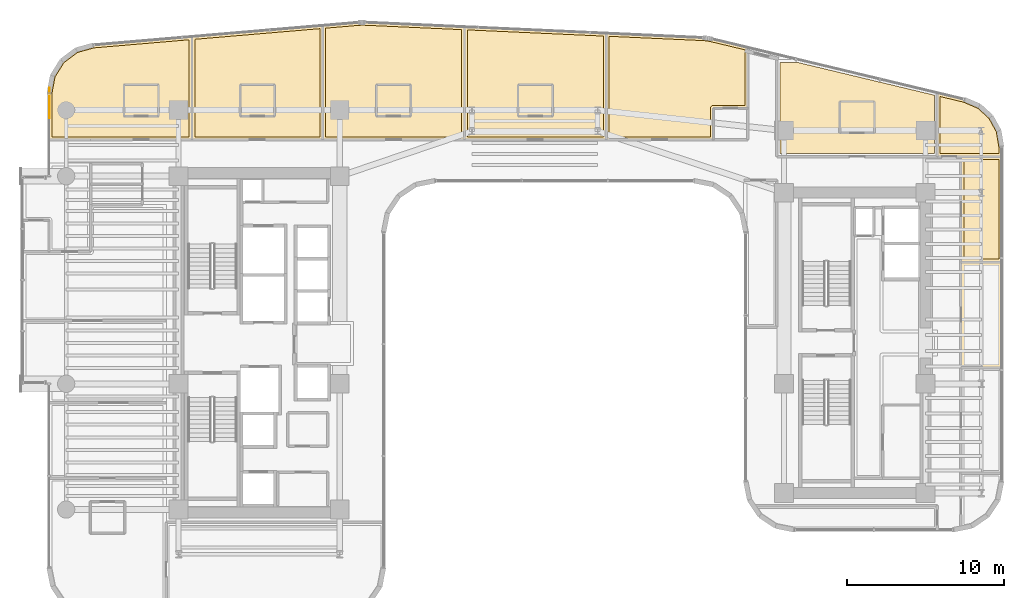
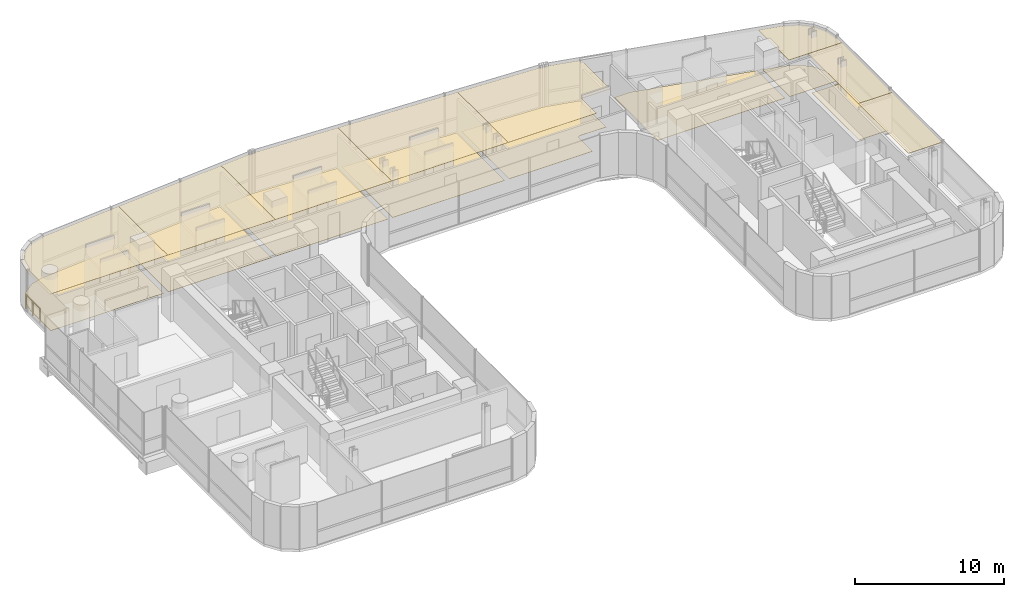
# One storey, part 34 of 35: 16 coverings, 1 railing.
"""IFC4 building model written with IfcOpenShell, lengths in metres."""

from ifc_helpers import new_model, si_unit, direction, frame, origin, origin_2d, place, context, subcontext, project, spatial, polyline, circle, outline, extrude, material, layer, layer_set, type_object, element, save


model = new_model("IFC4")

# Units and contexts
model_context = context("Model", 3, precision=1e-05, world=origin(), true_north=direction((0.0, 1.0)))
body_context = subcontext(model_context, "Body", "Model", "MODEL_VIEW")
ifc_project = project(units=[si_unit("LENGTHUNIT", "METRE"), si_unit("AREAUNIT", "SQUARE_METRE"), si_unit("VOLUMEUNIT", "CUBIC_METRE"), si_unit("PLANEANGLEUNIT", "RADIAN"), si_unit("MASSUNIT", "GRAM", prefix="KILO")], contexts=[model_context])

# Site, building, storey
site_placement = place(None, origin())
site = spatial("IfcSite", under=ifc_project, at=site_placement, CompositionType="ELEMENT")
building_placement = place(site_placement, origin())
building = spatial("IfcBuilding", under=site, at=building_placement, Name="Valdorenza Pilgrim Sanctuary Tower", CompositionType="ELEMENT")
storey_placement = place(building_placement, frame((0.0, 0.0, 113.10009765625)))
storey = spatial("IfcBuildingStorey", under=building, at=storey_placement, Name="L28", CompositionType="ELEMENT", Elevation=113.10009765625)

# Coverings
ifc_material_1 = material(Name="Micro-perforated acoustic mineral ceiling tile", Category="gypsum")
ifc_layer_1 = layer(ifc_material_1, 0.02490234375, Name="Micro-perforated acoustic mineral ceiling tile")
ifc_layer_set_1 = layer_set([ifc_layer_1], Name="Micro-perforated acoustic mineral ceiling tile")
covering_type_1 = type_object("IfcCoveringType", Name="COV-CLG-ACU", PredefinedType="CEILING", material=ifc_layer_set_1)
covering_1_placement = place(storey_placement, frame((0.0, 0.0, 3.159912109375)))
element("IfcCovering", 1, at=covering_1_placement, inside=storey, type_object=covering_type_1, Name="L28 North Guest Room L28-N1 Acoustic Ceiling", PredefinedType="CEILING", context=body_context, shape_type="SweptSolid", body=[
    extrude(outline(polyline([(-30.692138671875, 16.984130859375), (-30.69189453125, 16.985595703125), (-30.69140625, 16.98681640625), (-30.69091796875, 16.98828125), (-30.690185546875, 16.989501953125), (-30.0869140625, 17.95751953125), (-30.086181640625, 17.958740234375), (-30.085205078125, 17.959716796875), (-30.084228515625, 17.960693359375), (-30.083251953125, 17.961669921875), (-29.169677734375, 18.64453125), (-29.16845703125, 18.6455078125), (-29.167236328125, 18.64599609375), (-29.166015625, 18.646484375), (-29.164794921875, 18.647216796875), (-28.055419921875, 18.95458984375), (-28.05419921875, 18.955078125), (-28.052734375, 18.955078125), (-21.801513671875, 19.486572265625), (-21.80029296875, 19.486572265625), (-21.800048828125, 19.486572265625), (-21.798583984375, 19.486572265625), (-21.797119140625, 19.486328125), (-21.795654296875, 19.486083984375), (-21.794189453125, 19.485595703125), (-21.79296875, 19.48486328125), (-21.791748046875, 19.484130859375), (-21.79052734375, 19.483154296875), (-21.789306640625, 19.482177734375), (-21.788330078125, 19.481201171875), (-21.78759765625, 19.47998046875), (-21.786865234375, 19.478759765625), (-21.7861328125, 19.477294921875), (-21.78564453125, 19.47607421875), (-21.785400390625, 19.474609375), (-21.78515625, 19.47314453125), (-21.784912109375, 19.4716796875), (-21.784912109375, 12.919921875), (-21.78515625, 12.91845703125), (-21.785400390625, 12.9169921875), (-21.78564453125, 12.91552734375), (-21.7861328125, 12.914306640625), (-21.786865234375, 12.912841796875), (-21.78759765625, 12.91162109375), (-21.788330078125, 12.910400390625), (-21.789306640625, 12.909423828125), (-21.79052734375, 12.908447265625), (-21.791748046875, 12.907470703125), (-21.79296875, 12.90673828125), (-21.794189453125, 12.906005859375), (-21.795654296875, 12.905517578125), (-21.797119140625, 12.9052734375), (-21.798583984375, 12.905029296875), (-21.800048828125, 12.905029296875), (-30.889892578125, 12.905029296875), (-30.8916015625, 12.905029296875), (-30.892822265625, 12.9052734375), (-30.894287109375, 12.905517578125), (-30.895751953125, 12.906005859375), (-30.897216796875, 12.90673828125), (-30.898193359375, 12.907470703125), (-30.8994140625, 12.908447265625), (-30.900634765625, 12.909423828125), (-30.901611328125, 12.910400390625), (-30.902587890625, 12.91162109375), (-30.9033203125, 12.912841796875), (-30.90380859375, 12.914306640625), (-30.904296875, 12.91552734375), (-30.90478515625, 12.9169921875), (-30.90478515625, 12.91845703125), (-30.905029296875, 12.919921875), (-30.905029296875, 15.850341796875), (-30.90478515625, 15.8515625), (-30.90478515625, 15.85302734375), (-30.692138671875, 16.984130859375)])), origin(), (0.0, 0.0, 1.0), 0.02490234375),
])
covering_2_placement = place(storey_placement, frame((0.0, 0.0, 3.159912109375)))
element("IfcCovering", 2, at=covering_2_placement, inside=storey, type_object=covering_type_1, Name="L28 North Guest Room L28-N2 Acoustic Ceiling", PredefinedType="CEILING", context=body_context, shape_type="SweptSolid", body=[
    extrude(outline(polyline([(-21.81298828125, 19.4716796875), (-21.81298828125, 19.472412109375), (-21.81298828125, 19.473876953125), (-21.8125, 19.475341796875), (-21.812255859375, 19.476806640625), (-21.8115234375, 19.47802734375), (-21.81103515625, 19.479248046875), (-21.810302734375, 19.48046875), (-21.809326171875, 19.481689453125), (-21.808349609375, 19.482666015625), (-21.80712890625, 19.483642578125), (-21.805908203125, 19.484619140625), (-21.8046875, 19.485107421875), (-21.803466796875, 19.48583984375), (-21.802001953125, 19.486083984375), (-21.80078125, 19.486572265625), (-21.79931640625, 19.48681640625), (-13.481201171875, 20.193603515625), (-13.479736328125, 20.19384765625), (-13.478515625, 20.193603515625), (-13.476806640625, 20.193603515625), (-13.4755859375, 20.193115234375), (-13.47412109375, 20.192626953125), (-13.472900390625, 20.19189453125), (-13.4716796875, 20.191162109375), (-13.470458984375, 20.190185546875), (-13.46923828125, 20.189208984375), (-13.468505859375, 20.188232421875), (-13.467529296875, 20.18701171875), (-13.466796875, 20.185791015625), (-13.466064453125, 20.1845703125), (-13.465576171875, 20.18310546875), (-13.46533203125, 20.181640625), (-13.465087890625, 20.18017578125), (-13.465087890625, 20.1787109375), (-13.465087890625, 12.919921875), (-13.465087890625, 12.91845703125), (-13.46533203125, 12.9169921875), (-13.465576171875, 12.91552734375), (-13.466064453125, 12.914306640625), (-13.466796875, 12.912841796875), (-13.467529296875, 12.91162109375), (-13.468505859375, 12.910400390625), (-13.469482421875, 12.909423828125), (-13.470458984375, 12.908447265625), (-13.4716796875, 12.907470703125), (-13.472900390625, 12.90673828125), (-13.474365234375, 12.906005859375), (-13.4755859375, 12.905517578125), (-13.47705078125, 12.9052734375), (-13.478515625, 12.905029296875), (-13.47998046875, 12.905029296875), (-21.798095703125, 12.905029296875), (-21.799560546875, 12.905029296875), (-21.80078125, 12.9052734375), (-21.802490234375, 12.905517578125), (-21.8037109375, 12.906005859375), (-21.80517578125, 12.90673828125), (-21.806396484375, 12.907470703125), (-21.8076171875, 12.908447265625), (-21.80859375, 12.909423828125), (-21.8095703125, 12.910400390625), (-21.810546875, 12.91162109375), (-21.811279296875, 12.912841796875), (-21.81201171875, 12.914306640625), (-21.8125, 12.91552734375), (-21.812744140625, 12.9169921875), (-21.81298828125, 12.91845703125), (-21.81298828125, 12.919921875), (-21.81298828125, 19.4716796875), (-21.81298828125, 19.4716796875)])), origin(), (0.0, 0.0, 1.0), 0.02490234375),
])
covering_3_placement = place(storey_placement, frame((0.0, 0.0, 3.159912109375)))
element("IfcCovering", 3, at=covering_3_placement, inside=storey, type_object=covering_type_1, Name="L28 North Guest Room L28-N3 Acoustic Ceiling", PredefinedType="CEILING", context=body_context, shape_type="SweptSolid", body=[
    extrude(outline(polyline([(-13.492919921875, 20.1787109375), (-13.492919921875, 20.1796875), (-13.492919921875, 20.18115234375), (-13.49267578125, 20.1826171875), (-13.4921875, 20.183837890625), (-13.49169921875, 20.185302734375), (-13.490966796875, 20.1865234375), (-13.490234375, 20.187744140625), (-13.4892578125, 20.188720703125), (-13.48828125, 20.18994140625), (-13.4873046875, 20.19091796875), (-13.486083984375, 20.191650390625), (-13.48486328125, 20.1923828125), (-13.4833984375, 20.19287109375), (-13.482177734375, 20.193359375), (-13.480712890625, 20.193603515625), (-13.479248046875, 20.19384765625), (-11.20068359375, 20.3876953125), (-11.200439453125, 20.3876953125), (-11.099365234375, 20.39453125), (-11.098876953125, 20.39453125), (-10.998291015625, 20.398193359375), (-10.997802734375, 20.398193359375), (-10.897216796875, 20.398681640625), (-10.896728515625, 20.398681640625), (-10.79541015625, 20.3955078125), (-10.795166015625, 20.3955078125), (-4.46923828125, 20.10791015625), (-4.468017578125, 20.10791015625), (-4.466552734375, 20.107666015625), (-4.465087890625, 20.107177734375), (-4.4638671875, 20.106689453125), (-4.46240234375, 20.10595703125), (-4.461181640625, 20.105224609375), (-4.460205078125, 20.1044921875), (-4.459228515625, 20.103515625), (-4.458251953125, 20.102294921875), (-4.45751953125, 20.101318359375), (-4.456787109375, 20.099853515625), (-4.4560546875, 20.0986328125), (-4.45556640625, 20.097412109375), (-4.455322265625, 20.095947265625), (-4.455078125, 20.094482421875), (-4.455078125, 20.093017578125), (-4.455078125, 12.919921875), (-4.455078125, 12.91845703125), (-4.455322265625, 12.9169921875), (-4.45556640625, 12.91552734375), (-4.4560546875, 12.914306640625), (-4.456787109375, 12.912841796875), (-4.45751953125, 12.91162109375), (-4.45849609375, 12.910400390625), (-4.45947265625, 12.909423828125), (-4.46044921875, 12.908447265625), (-4.461669921875, 12.907470703125), (-4.462890625, 12.90673828125), (-4.46435546875, 12.906005859375), (-4.465576171875, 12.905517578125), (-4.467041015625, 12.9052734375), (-4.468505859375, 12.905029296875), (-4.469970703125, 12.905029296875), (-13.47802734375, 12.905029296875), (-13.4794921875, 12.905029296875), (-13.48095703125, 12.9052734375), (-13.482421875, 12.905517578125), (-13.483642578125, 12.906005859375), (-13.485107421875, 12.90673828125), (-13.486328125, 12.907470703125), (-13.487548828125, 12.908447265625), (-13.488525390625, 12.909423828125), (-13.489501953125, 12.910400390625), (-13.490478515625, 12.91162109375), (-13.4912109375, 12.912841796875), (-13.491943359375, 12.914306640625), (-13.492431640625, 12.91552734375), (-13.49267578125, 12.9169921875), (-13.492919921875, 12.91845703125), (-13.492919921875, 12.919921875), (-13.492919921875, 20.1787109375), (-13.492919921875, 20.1787109375)])), origin(), (0.0, 0.0, 1.0), 0.02490234375),
])
covering_4_placement = place(storey_placement, frame((0.0, 0.0, 3.159912109375)))
element("IfcCovering", 4, at=covering_4_placement, inside=storey, type_object=covering_type_1, Name="L28 North Guest Room L28-N4 Acoustic Ceiling", PredefinedType="CEILING", context=body_context, shape_type="SweptSolid", body=[
    extrude(outline(polyline([(4.540771484375, 19.698486328125), (4.5419921875, 19.698486328125), (4.54345703125, 19.697998046875), (4.544921875, 19.69775390625), (4.546142578125, 19.697265625), (4.547607421875, 19.696533203125), (4.548583984375, 19.69580078125), (4.5498046875, 19.69482421875), (4.55078125, 19.69384765625), (4.5517578125, 19.69287109375), (4.552490234375, 19.691650390625), (4.55322265625, 19.6904296875), (4.553955078125, 19.689208984375), (4.554443359375, 19.687744140625), (4.5546875, 19.686279296875), (4.554931640625, 19.684814453125), (4.554931640625, 19.68359375), (4.554931640625, 12.919921875), (4.554931640625, 12.91845703125), (4.5546875, 12.9169921875), (4.554443359375, 12.91552734375), (4.553955078125, 12.914306640625), (4.55322265625, 12.912841796875), (4.552490234375, 12.91162109375), (4.551513671875, 12.910400390625), (4.550537109375, 12.909423828125), (4.549560546875, 12.908447265625), (4.54833984375, 12.907470703125), (4.547119140625, 12.90673828125), (4.545654296875, 12.906005859375), (4.54443359375, 12.905517578125), (4.54296875, 12.9052734375), (4.54150390625, 12.905029296875), (4.5400390625, 12.905029296875), (-4.468017578125, 12.905029296875), (-4.469482421875, 12.905029296875), (-4.470947265625, 12.9052734375), (-4.472412109375, 12.905517578125), (-4.4736328125, 12.906005859375), (-4.47509765625, 12.90673828125), (-4.476318359375, 12.907470703125), (-4.4775390625, 12.908447265625), (-4.478515625, 12.909423828125), (-4.4794921875, 12.910400390625), (-4.48046875, 12.91162109375), (-4.481201171875, 12.912841796875), (-4.48193359375, 12.914306640625), (-4.482421875, 12.91552734375), (-4.482666015625, 12.9169921875), (-4.48291015625, 12.91845703125), (-4.48291015625, 12.919921875), (-4.48291015625, 20.093017578125), (-4.48291015625, 20.094482421875), (-4.482666015625, 20.095947265625), (-4.482421875, 20.097412109375), (-4.481689453125, 20.098876953125), (-4.481201171875, 20.10009765625), (-4.480224609375, 20.1015625), (-4.4794921875, 20.102783203125), (-4.478515625, 20.103759765625), (-4.477294921875, 20.104736328125), (-4.47607421875, 20.105712890625), (-4.474609375, 20.1064453125), (-4.473388671875, 20.10693359375), (-4.4716796875, 20.107421875), (-4.47021484375, 20.10791015625), (-4.46875, 20.10791015625), (-4.46728515625, 20.10791015625), (4.540771484375, 19.698486328125)])), origin(), (0.0, 0.0, 1.0), 0.02490234375),
])
covering_5_placement = place(storey_placement, frame((0.0, 0.0, 3.159912109375)))
element("IfcCovering", 5, at=covering_5_placement, inside=storey, type_object=covering_type_1, Name="L28 North Guest Room L28-N5 Acoustic Ceiling", PredefinedType="CEILING", context=body_context, shape_type="SweptSolid", body=[
    extrude(outline(polyline([(10.690673828125, 19.4189453125), (10.69091796875, 19.4189453125), (10.838134765625, 19.40869140625), (10.8388671875, 19.40869140625), (10.984375, 19.3916015625), (10.985107421875, 19.3916015625), (11.12939453125, 19.36767578125), (11.130126953125, 19.36767578125), (11.274658203125, 19.336669921875), (11.27490234375, 19.33642578125), (13.553466796875, 18.791015625), (13.554931640625, 18.790771484375), (13.55615234375, 18.790283203125), (13.5576171875, 18.78955078125), (13.55859375, 18.788818359375), (13.559814453125, 18.787841796875), (13.560791015625, 18.786865234375), (13.561767578125, 18.785888671875), (13.5625, 18.78466796875), (13.563232421875, 18.783447265625), (13.56396484375, 18.781982421875), (13.564453125, 18.78076171875), (13.564697265625, 18.779296875), (13.56494140625, 18.778076171875), (13.56494140625, 18.776611328125), (13.56494140625, 14.922119140625), (13.56494140625, 14.92041015625), (13.564697265625, 14.919189453125), (13.564453125, 14.91748046875), (13.56396484375, 14.916259765625), (13.563232421875, 14.914794921875), (13.5625, 14.913818359375), (13.5615234375, 14.91259765625), (13.560546875, 14.911376953125), (13.5595703125, 14.910400390625), (13.558349609375, 14.909423828125), (13.55712890625, 14.90869140625), (13.5556640625, 14.908203125), (13.554443359375, 14.90771484375), (13.552978515625, 14.9072265625), (13.551513671875, 14.906982421875), (13.550048828125, 14.906982421875), (11.363037109375, 14.906982421875), (11.363037109375, 12.919921875), (11.36279296875, 12.91845703125), (11.36279296875, 12.9169921875), (11.3623046875, 12.91552734375), (11.36181640625, 12.914306640625), (11.361083984375, 12.912841796875), (11.360595703125, 12.91162109375), (11.359619140625, 12.910400390625), (11.358642578125, 12.909423828125), (11.357421875, 12.908447265625), (11.356201171875, 12.907470703125), (11.35498046875, 12.90673828125), (11.353759765625, 12.906005859375), (11.352294921875, 12.905517578125), (11.350830078125, 12.9052734375), (11.349609375, 12.905029296875), (11.347900390625, 12.905029296875), (4.5419921875, 12.905029296875), (4.54052734375, 12.905029296875), (4.5390625, 12.9052734375), (4.53759765625, 12.905517578125), (4.536376953125, 12.906005859375), (4.534912109375, 12.90673828125), (4.53369140625, 12.907470703125), (4.532470703125, 12.908447265625), (4.531494140625, 12.909423828125), (4.530517578125, 12.910400390625), (4.529541015625, 12.91162109375), (4.52880859375, 12.912841796875), (4.528076171875, 12.914306640625), (4.527587890625, 12.91552734375), (4.52734375, 12.9169921875), (4.527099609375, 12.91845703125), (4.527099609375, 12.919921875), (4.527099609375, 19.683349609375), (4.527099609375, 19.684814453125), (4.52734375, 19.686279296875), (4.527587890625, 19.68798828125), (4.5283203125, 19.689208984375), (4.52880859375, 19.690673828125), (4.52978515625, 19.69189453125), (4.530517578125, 19.693115234375), (4.531494140625, 19.6943359375), (4.53271484375, 19.6953125), (4.533935546875, 19.696044921875), (4.535400390625, 19.697021484375), (4.53662109375, 19.697509765625), (4.5380859375, 19.697998046875), (4.539794921875, 19.6982421875), (4.541259765625, 19.698486328125), (4.542724609375, 19.698486328125), (10.690673828125, 19.4189453125)])), origin(), (0.0, 0.0, 1.0), 0.02490234375),
])
covering_6_placement = place(storey_placement, frame((0.0, 0.0, 3.159912109375)))
element("IfcCovering", 6, at=covering_6_placement, inside=storey, type_object=covering_type_1, Name="L28 East Wing Reference Library L28-BNE Acoustic Ceiling", PredefinedType="CEILING", context=body_context, shape_type="SweptSolid", body=[
    extrude(outline(polyline([(27.313720703125, 15.49755859375), (27.31494140625, 15.4970703125), (27.316162109375, 15.49658203125), (28.269775390625, 15.09130859375), (28.271240234375, 15.090576171875), (28.272705078125, 15.089599609375), (28.27392578125, 15.088623046875), (29.034912109375, 14.3994140625), (29.035888671875, 14.398193359375), (29.037109375, 14.39697265625), (29.037841796875, 14.3955078125), (29.531005859375, 13.4951171875), (29.53173828125, 13.49365234375), (29.5322265625, 13.4921875), (29.53271484375, 13.490478515625), (29.704833984375, 12.468994140625), (29.704833984375, 12.467529296875), (29.705078125, 12.46630859375), (29.705078125, 11.85009765625), (29.704833984375, 11.848388671875), (29.70458984375, 11.84716796875), (29.704345703125, 11.845703125), (29.703857421875, 11.84423828125), (29.703125, 11.843017578125), (29.702392578125, 11.841796875), (29.70166015625, 11.840576171875), (29.70068359375, 11.83935546875), (29.699462890625, 11.83837890625), (29.6982421875, 11.83740234375), (29.697021484375, 11.8369140625), (29.69580078125, 11.836181640625), (29.6943359375, 11.835693359375), (29.69287109375, 11.835205078125), (29.69140625, 11.835205078125), (29.68994140625, 11.8349609375), (25.60205078125, 11.8349609375), (25.6005859375, 11.835205078125), (25.59912109375, 11.835205078125), (25.59765625, 11.835693359375), (25.59619140625, 11.836181640625), (25.594970703125, 11.8369140625), (25.59375, 11.83740234375), (25.592529296875, 11.83837890625), (25.59130859375, 11.83935546875), (25.59033203125, 11.840576171875), (25.589599609375, 11.841796875), (25.5888671875, 11.843017578125), (25.588134765625, 11.84423828125), (25.587646484375, 11.845703125), (25.58740234375, 11.84716796875), (25.587158203125, 11.848388671875), (25.5869140625, 11.85009765625), (25.5869140625, 15.891845703125), (25.587158203125, 15.893310546875), (25.58740234375, 15.894775390625), (25.587646484375, 15.896240234375), (25.588134765625, 15.897705078125), (25.5888671875, 15.89892578125), (25.589599609375, 15.900390625), (25.590576171875, 15.901611328125), (25.591552734375, 15.902587890625), (25.5927734375, 15.903564453125), (25.593994140625, 15.904296875), (25.59521484375, 15.9052734375), (25.5966796875, 15.90576171875), (25.597900390625, 15.90625), (25.599609375, 15.906494140625), (25.60107421875, 15.90673828125), (25.6025390625, 15.90673828125), (25.60400390625, 15.906494140625), (25.60546875, 15.906494140625), (27.313720703125, 15.49755859375)])), origin(), (0.0, 0.0, 1.0), 0.02490234375),
])
covering_7_placement = place(storey_placement, frame((0.0, 0.0, 3.159912109375)))
element("IfcCovering", 7, at=covering_7_placement, inside=storey, type_object=covering_type_1, Name="L28 East Sanctuary Scholar Office L28-EG3 Acoustic Ceiling", PredefinedType="CEILING", context=body_context, shape_type="SweptSolid", body=[
    extrude(outline(polyline([(27.0849609375, 5.137939453125), (27.085205078125, 5.139404296875), (27.085205078125, 5.140869140625), (27.085693359375, 5.142333984375), (27.086181640625, 5.143798828125), (27.0869140625, 5.14501953125), (27.08740234375, 5.146240234375), (27.08837890625, 5.1474609375), (27.08935546875, 5.148681640625), (27.090576171875, 5.149658203125), (27.091796875, 5.150390625), (27.093017578125, 5.151123046875), (27.09423828125, 5.15185546875), (27.095703125, 5.15234375), (27.09716796875, 5.152587890625), (27.098388671875, 5.15283203125), (27.10009765625, 5.153076171875), (29.68994140625, 5.153076171875), (29.69140625, 5.15283203125), (29.69287109375, 5.152587890625), (29.6943359375, 5.15234375), (29.69580078125, 5.15185546875), (29.697021484375, 5.151123046875), (29.6982421875, 5.150390625), (29.699462890625, 5.149658203125), (29.70068359375, 5.148681640625), (29.70166015625, 5.1474609375), (29.702392578125, 5.146240234375), (29.703125, 5.14501953125), (29.703857421875, 5.143798828125), (29.704345703125, 5.142333984375), (29.70458984375, 5.140869140625), (29.704833984375, 5.139404296875), (29.705078125, 5.137939453125), (29.705078125, -1.572998046875), (29.704833984375, -1.574462890625), (29.70458984375, -1.575927734375), (29.704345703125, -1.577392578125), (29.703857421875, -1.57861328125), (29.703125, -1.580078125), (29.702392578125, -1.581298828125), (29.70166015625, -1.58251953125), (29.70068359375, -1.58349609375), (29.699462890625, -1.584716796875), (29.6982421875, -1.58544921875), (29.697021484375, -1.586181640625), (29.69580078125, -1.5869140625), (29.6943359375, -1.58740234375), (29.69287109375, -1.587646484375), (29.69140625, -1.587890625), (29.68994140625, -1.587890625), (27.10009765625, -1.587890625), (27.098388671875, -1.587890625), (27.09716796875, -1.587646484375), (27.095703125, -1.58740234375), (27.09423828125, -1.5869140625), (27.093017578125, -1.586181640625), (27.091796875, -1.58544921875), (27.090576171875, -1.584716796875), (27.08935546875, -1.58349609375), (27.08837890625, -1.58251953125), (27.08740234375, -1.581298828125), (27.0869140625, -1.580078125), (27.086181640625, -1.57861328125), (27.085693359375, -1.577392578125), (27.085205078125, -1.575927734375), (27.085205078125, -1.574462890625), (27.0849609375, -1.572998046875), (27.0849609375, 5.137939453125)])), origin(), (0.0, 0.0, 1.0), 0.02490234375),
])
covering_8_placement = place(storey_placement, frame((0.0, 0.0, 3.159912109375)))
element("IfcCovering", 8, at=covering_8_placement, inside=storey, type_object=covering_type_1, Name="L28 East Sanctuary Scholar Office L28-EG4 Acoustic Ceiling", PredefinedType="CEILING", context=body_context, shape_type="SweptSolid", body=[
    extrude(outline(polyline([(27.0849609375, 11.847900390625), (27.085205078125, 11.849609375), (27.085205078125, 11.850830078125), (27.085693359375, 11.852294921875), (27.086181640625, 11.853759765625), (27.0869140625, 11.85498046875), (27.08740234375, 11.856201171875), (27.08837890625, 11.857421875), (27.08935546875, 11.858642578125), (27.090576171875, 11.859619140625), (27.091796875, 11.860595703125), (27.093017578125, 11.861083984375), (27.09423828125, 11.86181640625), (27.095703125, 11.8623046875), (27.09716796875, 11.86279296875), (27.098388671875, 11.86279296875), (27.10009765625, 11.863037109375), (29.68994140625, 11.863037109375), (29.69140625, 11.86279296875), (29.69287109375, 11.86279296875), (29.6943359375, 11.8623046875), (29.69580078125, 11.86181640625), (29.697021484375, 11.861083984375), (29.6982421875, 11.860595703125), (29.699462890625, 11.859619140625), (29.70068359375, 11.858642578125), (29.70166015625, 11.857421875), (29.702392578125, 11.856201171875), (29.703125, 11.85498046875), (29.703857421875, 11.853759765625), (29.704345703125, 11.852294921875), (29.70458984375, 11.850830078125), (29.704833984375, 11.849609375), (29.705078125, 11.847900390625), (29.705078125, 5.139892578125), (29.704833984375, 5.138427734375), (29.70458984375, 5.13720703125), (29.704345703125, 5.135498046875), (29.703857421875, 5.13427734375), (29.703125, 5.1328125), (29.702392578125, 5.131591796875), (29.70166015625, 5.130615234375), (29.70068359375, 5.12939453125), (29.699462890625, 5.12841796875), (29.6982421875, 5.12744140625), (29.697021484375, 5.126708984375), (29.69580078125, 5.126220703125), (29.6943359375, 5.12548828125), (29.69287109375, 5.125244140625), (29.69140625, 5.125), (29.68994140625, 5.125), (27.10009765625, 5.125), (27.098388671875, 5.125), (27.09716796875, 5.125244140625), (27.095703125, 5.12548828125), (27.09423828125, 5.126220703125), (27.093017578125, 5.126708984375), (27.091796875, 5.12744140625), (27.090576171875, 5.12841796875), (27.08935546875, 5.12939453125), (27.08837890625, 5.130615234375), (27.08740234375, 5.131591796875), (27.0869140625, 5.1328125), (27.086181640625, 5.13427734375), (27.085693359375, 5.135498046875), (27.085205078125, 5.13720703125), (27.085205078125, 5.138427734375), (27.0849609375, 5.139892578125), (27.0849609375, 11.847900390625)])), origin(), (0.0, 0.0, 1.0), 0.02490234375),
])
ifc_material_2 = material(Name="Engineered European oak timber flooring", Category="wood")
ifc_layer_2 = layer(ifc_material_2, 0.02197265625, Name="Engineered European oak timber flooring")
ifc_layer_set_2 = layer_set([ifc_layer_2], Name="Engineered European oak timber flooring")
covering_type_2 = type_object("IfcCoveringType", Name="COV-FLR-OAK", PredefinedType="FLOORING", material=ifc_layer_set_2)
covering_9_placement = place(storey_placement, origin())
element("IfcCovering", 9, at=covering_9_placement, inside=storey, type_object=covering_type_2, Name="L28 North Guest Room L28-N1 Flooring", PredefinedType="FLOORING", context=body_context, shape_type="SweptSolid", body=[
    extrude(outline(polyline([(-30.5068359375, 16.9150390625), (-29.939208984375, 17.82568359375), (-29.080078125, 18.46826171875), (-28.01953125, 18.76220703125), (-21.980224609375, 19.275634765625), (-21.97998046875, 13.10009765625), (-30.7099609375, 13.10009765625), (-30.7099609375, 15.83349609375), (-30.5068359375, 16.9150390625)])), origin(), (0.0, 0.0, 1.0), 0.02490234375),
])
covering_10_placement = place(storey_placement, origin())
element("IfcCovering", 10, at=covering_10_placement, inside=storey, type_object=covering_type_2, Name="L28 North Guest Room L28-N2 Flooring", PredefinedType="FLOORING", context=body_context, shape_type="SweptSolid", body=[
    extrude(outline(polyline([(-13.659912109375, 19.98291015625), (-13.659912109375, 13.10009765625), (-21.617919921875, 13.10009765625), (-21.617919921875, 19.306396484375), (-13.659912109375, 19.98291015625)])), origin(), (0.0, 0.0, 1.0), 0.02490234375),
])
covering_11_placement = place(storey_placement, origin())
element("IfcCovering", 11, at=covering_11_placement, inside=storey, type_object=covering_type_2, Name="L28 North Guest Room L28-N3 Flooring", PredefinedType="FLOORING", context=body_context, shape_type="SweptSolid", body=[
    extrude(outline(polyline([(-11.185546875, 20.193115234375), (-11.0888671875, 20.199951171875), (-10.994140625, 20.203125), (-10.8994140625, 20.20361328125), (-10.802490234375, 20.20068359375), (-4.64990234375, 19.9208984375), (-4.64990234375, 13.10009765625), (-13.298095703125, 13.10009765625), (-13.298095703125, 20.013427734375), (-11.185546875, 20.193115234375)])), origin(), (0.0, 0.0, 1.0), 0.02490234375),
])
covering_12_placement = place(storey_placement, origin())
element("IfcCovering", 12, at=covering_12_placement, inside=storey, type_object=covering_type_2, Name="L28 North Guest Room L28-N4 Flooring", PredefinedType="FLOORING", context=body_context, shape_type="SweptSolid", body=[
    extrude(outline(polyline([(4.360107421875, 19.511474609375), (4.360107421875, 13.10009765625), (-4.2880859375, 13.10009765625), (-4.2880859375, 19.904541015625), (4.360107421875, 19.511474609375)])), origin(), (0.0, 0.0, 1.0), 0.02490234375),
])
covering_13_placement = place(storey_placement, origin())
element("IfcCovering", 13, at=covering_13_placement, inside=storey, type_object=covering_type_2, Name="L28 North Guest Room L28-N5 Flooring", PredefinedType="FLOORING", context=body_context, shape_type="SweptSolid", body=[
    extrude(outline(polyline([(10.6796875, 19.224365234375), (10.820556640625, 19.214599609375), (10.95751953125, 19.198486328125), (11.093505859375, 19.176025390625), (11.231689453125, 19.146484375), (13.3701171875, 18.634521484375), (13.3701171875, 15.10205078125), (11.35009765625, 15.10205078125), (11.34130859375, 15.101806640625), (11.341064453125, 15.101806640625), (11.323486328125, 15.10009765625), (11.3232421875, 15.10009765625), (11.305908203125, 15.0966796875), (11.3056640625, 15.096435546875), (11.288818359375, 15.09130859375), (11.28857421875, 15.09130859375), (11.272216796875, 15.084716796875), (11.272216796875, 15.08447265625), (11.256591796875, 15.076171875), (11.25634765625, 15.076171875), (11.24169921875, 15.066162109375), (11.241455078125, 15.066162109375), (11.227783203125, 15.054931640625), (11.227783203125, 15.0546875), (11.215087890625, 15.042236328125), (11.215087890625, 15.0419921875), (11.203857421875, 15.028564453125), (11.203857421875, 15.0283203125), (11.19384765625, 15.013671875), (11.19384765625, 15.013427734375), (11.185546875, 14.997802734375), (11.185302734375, 14.997802734375), (11.1787109375, 14.9814453125), (11.1787109375, 14.981201171875), (11.173583984375, 14.96435546875), (11.17333984375, 14.964111328125), (11.169921875, 14.94677734375), (11.169921875, 14.946533203125), (11.168212890625, 14.928955078125), (11.168212890625, 14.9287109375), (11.16796875, 14.919921875), (11.16796875, 13.10009765625), (4.721923828125, 13.10009765625), (4.721923828125, 19.4951171875), (10.6796875, 19.224365234375)])), origin(), (0.0, 0.0, 1.0), 0.02490234375),
])
covering_14_placement = place(storey_placement, origin())
element("IfcCovering", 14, at=covering_14_placement, inside=storey, type_object=covering_type_2, Name="L28 East North Guest Room L28-EN1 Flooring", PredefinedType="FLOORING", context=body_context, shape_type="SweptSolid", body=[
    extrude(outline(polyline([(16.77294921875, 17.820068359375), (25.419921875, 15.750244140625), (25.419921875, 12.030029296875), (15.580078125, 12.030029296875), (15.580078125, 17.820068359375), (16.77294921875, 17.820068359375)])), origin(), (0.0, 0.0, 1.0), 0.02490234375),
])
ifc_material_3 = material(Name="Honed travertine stone flooring", Category="masonry")
ifc_layer_3 = layer(ifc_material_3, 0.030029296875, Name="Honed travertine stone flooring")
ifc_layer_set_3 = layer_set([ifc_layer_3], Name="Honed travertine stone flooring")
covering_type_3 = type_object("IfcCoveringType", Name="COV-FLR-TRV", PredefinedType="FLOORING", material=ifc_layer_set_3)
covering_15_placement = place(storey_placement, origin())
element("IfcCovering", 15, at=covering_15_placement, inside=storey, type_object=covering_type_3, Name="L28 East Wing Reference Library L28-BNE Flooring", PredefinedType="FLOORING", context=body_context, shape_type="SweptSolid", body=[
    extrude(outline(polyline([(27.25390625, 15.311279296875), (28.16552734375, 14.923583984375), (28.88134765625, 14.275390625), (29.345458984375, 13.427978515625), (29.510009765625, 12.451416015625), (29.510009765625, 12.030029296875), (25.781982421875, 12.030029296875), (25.781982421875, 15.66357421875), (27.25390625, 15.311279296875)])), origin(), (0.0, 0.0, 1.0), 0.02490234375),
])
covering_16_placement = place(storey_placement, origin())
element("IfcCovering", 16, at=covering_16_placement, inside=storey, type_object=covering_type_3, Name="L28 East Sanctuary Scholar Office L28-EG4 Flooring", PredefinedType="FLOORING", context=body_context, shape_type="SweptSolid", body=[
    extrude(outline(polyline([(27.280029296875, 11.66796875), (29.510009765625, 11.66796875), (29.510009765625, 5.320068359375), (27.280029296875, 5.320068359375), (27.280029296875, 11.66796875)])), origin(), (0.0, 0.0, 1.0), 0.02490234375),
])

# Railing
ifc_material_4 = material(Name="Stainless steel Grade 316", Category="steel")
railing_type = type_object("IfcRailingType", Name="RLG-GRD-1120", PredefinedType="GUARDRAIL", material=ifc_material_4)
railing_placement = place(storey_placement, frame((-30.860107421875, 14.300048828125, 0.0)))
element("IfcRailing", 17, at=railing_placement, inside=storey, type_object=railing_type, Name="L28 NW Tangent Safety Sill Guard", PredefinedType="GUARDRAIL", context=body_context, shape_type="SweptSolid", body=[
    extrude(circle(Radius=0.02392578125, at=origin_2d()), frame((0.0, 0.0, 1.17578125), z_axis=(0.0, 1.0, 0.0), x_axis=(-1.0, 0.0, 0.0)), (0.0, 0.0, 1.0), 1.89990234375),
    extrude(circle(Radius=0.02099609375, at=origin_2d()), origin(), (0.0, 0.0, 1.0), 1.15185546875),
    extrude(circle(Radius=0.02099609375, at=origin_2d()), frame((0.0, 0.949951171875, 0.0)), (0.0, 0.0, 1.0), 1.15185546875),
    extrude(circle(Radius=0.02099609375, at=origin_2d()), frame((0.0, 1.89990234375, 0.0)), (0.0, 0.0, 1.0), 1.15185546875),
])

save(model, "model.ifc")
